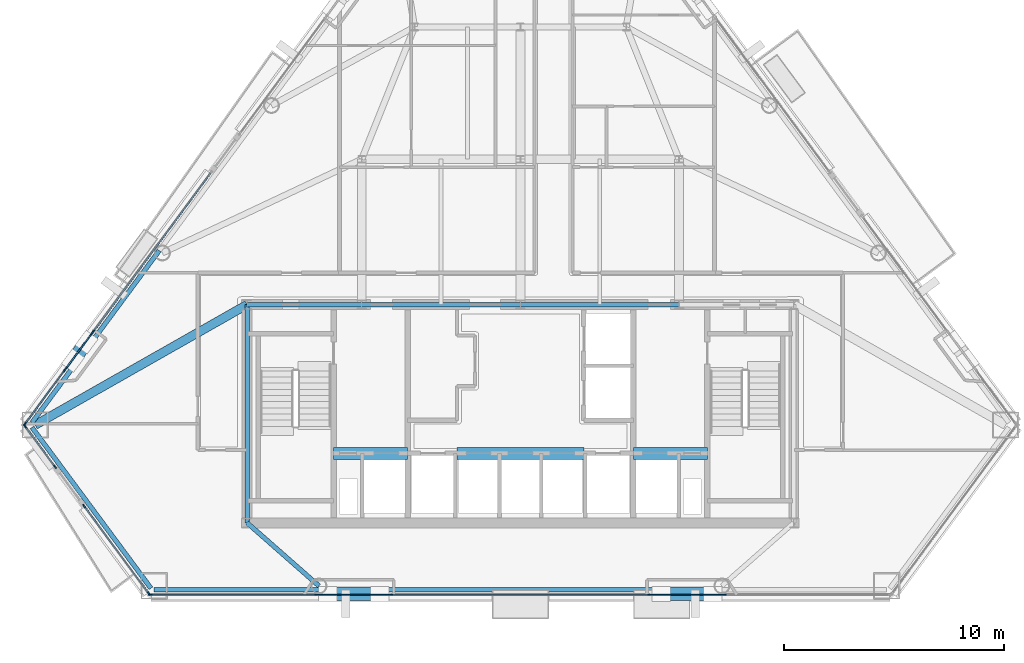
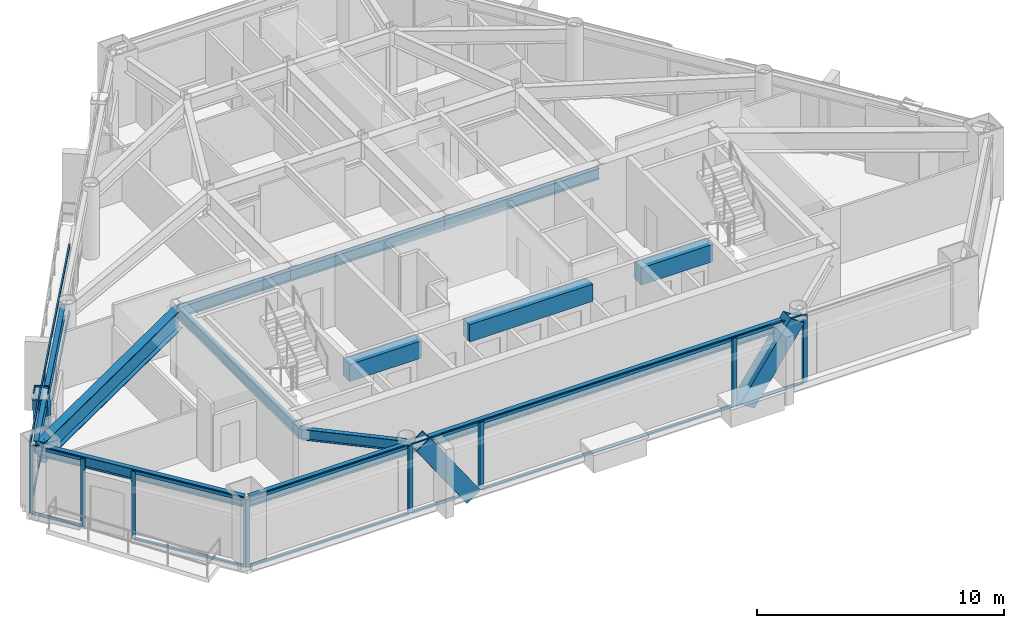
# One storey, part 3 of 11: 39 members, 13 beams, 10 elements without a shape of their own.
"""IFC4 building model written with IfcOpenShell, lengths in metres."""

from ifc_helpers import new_model, si_unit, direction, frame, origin, origin_2d, place, context, subcontext, project, spatial, rectangle, hollow_rectangle, i_section, extrude, material, layer, layer_set, material_profile, profile_set, type_object, element, aggregate, save


model = new_model("IFC4")

# Units and contexts
model_context = context("Model", 3, precision=1e-05, world=origin(), true_north=direction((0.0, 1.0)))
body_context = subcontext(model_context, "Body", "Model", "MODEL_VIEW")
ifc_project = project(units=[si_unit("LENGTHUNIT", "METRE"), si_unit("AREAUNIT", "SQUARE_METRE"), si_unit("VOLUMEUNIT", "CUBIC_METRE"), si_unit("PLANEANGLEUNIT", "RADIAN"), si_unit("MASSUNIT", "GRAM", prefix="KILO")], contexts=[model_context])

# Site, building, storey
site_placement = place(None, origin())
site = spatial("IfcSite", under=ifc_project, at=site_placement, CompositionType="ELEMENT")
building_placement = place(site_placement, origin())
building = spatial("IfcBuilding", under=site, at=building_placement, Name="Talgorran Terracotta Tower", CompositionType="ELEMENT")
storey_placement = place(building_placement, frame((0.0, 0.0, 122.10009765625)))
storey = spatial("IfcBuildingStorey", under=building, at=storey_placement, Name="L31", CompositionType="ELEMENT", Elevation=122.10009765625)

# Beams
ifc_material_1 = material(Name="Steel Grade 350 (350L0)", Category="steel")
ifc_material_profile_1 = material_profile(ifc_material_1, i_section(OverallWidth=0.39990234375, OverallDepth=1.0, WebThickness=0.01611328125, FlangeThickness=0.031005859375, at=origin_2d()), Name="1000WB296")
ifc_profile_set_1 = profile_set([ifc_material_profile_1], Name="Steel Grade 350 (350L0)")
beam_type_1 = type_object("IfcBeamType", Name="BM_1000WB296", PredefinedType="BEAM", material=ifc_profile_set_1)
beam_1_placement = place(storey_placement, frame((-12.39990234375, -4.199951171875, 2.849853515625), z_axis=(-0.869581927132, -0.493788691654, 0.0), x_axis=(0.493788691654, -0.869581927132, 0.0)))
element("IfcBeam", 1, at=beam_1_placement, inside=storey, type_object=beam_type_1, Name="L31 Floor Girder G17", PredefinedType="BEAM", context=body_context, shape_type="SweptSolid", body=[
    extrude(i_section(OverallWidth=0.39990234375, OverallDepth=1.0, WebThickness=0.01611328125, FlangeThickness=0.031005859375, at=origin_2d()), origin(), (0.0, 0.0, 1.0), 11.061279296875),
])
ifc_material_2 = material(Name="Concrete C50/60", Category="concrete")
ifc_material_profile_2 = material_profile(ifc_material_2, rectangle(XDim=0.550048828125, YDim=0.85009765625, at=origin_2d()), Name="RCCB550X850")
ifc_profile_set_2 = profile_set([ifc_material_profile_2], Name="Concrete C50/60")
beam_type_2 = type_object("IfcBeamType", Name="BM_CB_550X850", PredefinedType="LINTEL", material=ifc_profile_set_2)
beam_2_placement = place(storey_placement, frame((-8.47998046875, -10.949951171875, 2.9248046875), z_axis=(1.0, 0.0, 0.0), x_axis=(0.0, 1.0, 0.0)))
element("IfcBeam", 2, at=beam_2_placement, inside=storey, type_object=beam_type_2, Name="L31 Core Shear-Wall Coupling Beam CB1", PredefinedType="LINTEL", context=body_context, shape_type="SweptSolid", body=[
    extrude(rectangle(XDim=0.550048828125, YDim=0.85009765625, at=origin_2d()), origin(), (0.0, 0.0, 1.0), 3.35986328125),
])
beam_3_placement = place(storey_placement, frame((-2.8798828125, -10.949951171875, 2.9248046875), z_axis=(1.0, 0.0, 0.0), x_axis=(0.0, 1.0, 0.0)))
element("IfcBeam", 3, at=beam_3_placement, inside=storey, type_object=beam_type_2, Name="L31 Core Shear-Wall Coupling Beam CB2", PredefinedType="LINTEL", context=body_context, shape_type="SweptSolid", body=[
    extrude(rectangle(XDim=0.550048828125, YDim=0.85009765625, at=origin_2d()), origin(), (0.0, 0.0, 1.0), 5.759765625),
])
beam_4_placement = place(storey_placement, frame((5.1201171875, -10.949951171875, 2.9248046875), z_axis=(1.0, 0.0, 0.0), x_axis=(0.0, 1.0, 0.0)))
element("IfcBeam", 4, at=beam_4_placement, inside=storey, type_object=beam_type_2, Name="L31 Core Shear-Wall Coupling Beam CB3", PredefinedType="LINTEL", context=body_context, shape_type="SweptSolid", body=[
    extrude(rectangle(XDim=0.550048828125, YDim=0.85009765625, at=origin_2d()), origin(), (0.0, 0.0, 1.0), 3.35986328125),
])
ifc_material_3 = material(Name="Steel S355 (300PLUS)", Category="steel")
ifc_material_profile_3 = material_profile(ifc_material_3, i_section(OverallWidth=0.209228515625, OverallDepth=0.532958984375, WebThickness=0.01025390625, FlangeThickness=0.015625, at=origin_2d()), Name="530UB92.4")
ifc_profile_set_3 = profile_set([ifc_material_profile_3], Name="Steel S355 (300PLUS)")
beam_type_3 = type_object("IfcBeamType", Name="BM_SP_530UB92", PredefinedType="SPANDREL", material=ifc_profile_set_3)
beam_5_placement = place(storey_placement, frame((-22.1630859375, -9.768798828125, 3.08349609375), z_axis=(0.594631406603, -0.803998439228, 0.0), x_axis=(0.803998439228, 0.594631406603, 0.0)))
element("IfcBeam", 5, at=beam_5_placement, inside=storey, type_object=beam_type_3, Name="L31 Perimeter Spandrel Beam MC1-MC2", PredefinedType="SPANDREL", context=body_context, shape_type="SweptSolid", body=[
    extrude(i_section(OverallWidth=0.209228515625, OverallDepth=0.532958984375, WebThickness=0.01025390625, FlangeThickness=0.015625, at=origin_2d()), origin(), (0.0, 0.0, 1.0), 9.08154296875),
])
beam_6_placement = place(storey_placement, frame((-16.618408203125, -17.143310546875, 3.08349609375), z_axis=(1.0, 0.0, 0.0), x_axis=(0.0, 1.0, 0.0)))
element("IfcBeam", 6, at=beam_6_placement, inside=storey, type_object=beam_type_3, Name="L31 Perimeter Spandrel Beam MC2-FC1", PredefinedType="SPANDREL", context=body_context, shape_type="SweptSolid", body=[
    extrude(i_section(OverallWidth=0.209228515625, OverallDepth=0.532958984375, WebThickness=0.01025390625, FlangeThickness=0.015625, at=origin_2d()), origin(), (0.0, 0.0, 1.0), 7.478271484375),
])
beam_7_placement = place(storey_placement, frame((-9.14013671875, -17.143310546875, 3.08349609375), z_axis=(1.0, 0.0, 0.0), x_axis=(0.0, 1.0, 0.0)))
element("IfcBeam", 7, at=beam_7_placement, inside=storey, type_object=beam_type_3, Name="L31 Perimeter Spandrel Beam FC1-FC2", PredefinedType="SPANDREL", context=body_context, shape_type="SweptSolid", body=[
    extrude(i_section(OverallWidth=0.209228515625, OverallDepth=0.532958984375, WebThickness=0.01025390625, FlangeThickness=0.015625, at=origin_2d()), origin(), (0.0, 0.0, 1.0), 18.2802734375),
])
beam_8_placement = place(storey_placement, frame((-16.3896484375, -1.74853515625, 3.08349609375), z_axis=(-0.594623640759, -0.804004182732, 0.0), x_axis=(0.804004182732, -0.594623640759, 0.0)))
element("IfcBeam", 8, at=beam_8_placement, inside=storey, type_object=beam_type_3, Name="L31 Perimeter Spandrel Beam FC6-MC1", PredefinedType="SPANDREL", context=body_context, shape_type="SweptSolid", body=[
    extrude(i_section(OverallWidth=0.209228515625, OverallDepth=0.532958984375, WebThickness=0.01025390625, FlangeThickness=0.015625, at=origin_2d()), origin(), (0.0, 0.0, 1.0), 9.70947265625),
])
beam_9_placement = place(storey_placement, frame((-9.14013671875, -16.96337890625, 3.08349609375), z_axis=(-0.751320451725, 0.659937556758, 0.0), x_axis=(-0.659937556758, -0.751320451725, 0.0)))
element("IfcBeam", 9, at=beam_9_placement, inside=storey, type_object=beam_type_3, Name="L31 South-West Core Tie Beam", PredefinedType="SPANDREL", context=body_context, shape_type="SweptSolid", body=[
    extrude(i_section(OverallWidth=0.209228515625, OverallDepth=0.532958984375, WebThickness=0.01025390625, FlangeThickness=0.015625, at=origin_2d()), origin(), (0.0, 0.0, 1.0), 4.338623046875),
])
beam_10_placement = place(storey_placement, frame((-12.39990234375, -14.10009765625, 3.08349609375), z_axis=(0.0, 1.0, 0.0), x_axis=(-1.0, 0.0, 0.0)))
element("IfcBeam", 10, at=beam_10_placement, inside=storey, type_object=beam_type_3, Name="L31 Core Frame Beam CFW", PredefinedType="SPANDREL", context=body_context, shape_type="SweptSolid", body=[
    extrude(i_section(OverallWidth=0.209228515625, OverallDepth=0.532958984375, WebThickness=0.01025390625, FlangeThickness=0.015625, at=origin_2d()), origin(), (0.0, 0.0, 1.0), 9.900146484375),
])
beam_11_placement = place(storey_placement, frame((-12.39990234375, -4.199951171875, 3.08349609375), z_axis=(1.0, 0.0, 0.0), x_axis=(0.0, 1.0, 0.0)))
element("IfcBeam", 11, at=beam_11_placement, inside=storey, type_object=beam_type_3, Name="L31 Core Frame Beam CFN1", PredefinedType="SPANDREL", context=body_context, shape_type="SweptSolid", body=[
    extrude(i_section(OverallWidth=0.209228515625, OverallDepth=0.532958984375, WebThickness=0.01025390625, FlangeThickness=0.015625, at=origin_2d()), origin(), (0.0, 0.0, 1.0), 5.199951171875),
])
for number, where, z_axis, x_axis, name in (
    (12, (-7.199951171875, -4.199951171875, 3.08349609375), (1.0, 0.0, 0.0), (0.0, 1.0, 0.0), "L31 Core Frame Beam CFN2"),
    (13, (0.0, -4.199951171875, 3.08349609375), (1.0, 0.0, 0.0), (0.0, 1.0, 0.0), "L31 Core Frame Beam CFN3"),
):
    element("IfcBeam", number, at=place(storey_placement, frame(where, z_axis=z_axis, x_axis=x_axis)), inside=storey, type_object=beam_type_3, Name=name, PredefinedType="SPANDREL", context=body_context, shape_type="SweptSolid", body=[
        extrude(i_section(OverallWidth=0.209228515625, OverallDepth=0.532958984375, WebThickness=0.01025390625, FlangeThickness=0.015625, at=origin_2d()), origin(), (0.0, 0.0, 1.0), 7.199951171875),
    ])

# Members
ifc_material_profile_4 = material_profile(ifc_material_1, hollow_rectangle(XDim=0.6201171875, YDim=0.780029296875, WallThickness=0.0419921875, at=origin_2d()), Name="WBOX780X620X42")
ifc_profile_set_4 = profile_set([ifc_material_profile_4], Name="Steel Grade 350 (350L0)")
member_type_1 = type_object("IfcMemberType", Name="MB_MEGA_780", PredefinedType="BRACE", material=ifc_profile_set_4)
for number, where, z_axis, x_axis, name in (
    (14, (-6.3837890625, -17.3232421875, -0.025146484375), (-0.568899801138, 0.0, 0.822406843518), (0.0, -1.0, 0.0), "L31 Exterior Face Mega-Brace MB-2 (SWF)"),
    (15, (6.3837890625, -17.3232421875, -0.025146484375), (0.568899801138, 0.0, 0.822406843518), (0.0, 1.0, 0.0), "L31 Exterior Face Mega-Brace MB-2 (SEF)"),
):
    element("IfcMember", number, at=place(storey_placement, frame(where, z_axis=z_axis, x_axis=x_axis)), inside=storey, type_object=member_type_1, Name=name, PredefinedType="BRACE", context=body_context, shape_type="SweptSolid", body=[
        extrude(hollow_rectangle(XDim=0.6201171875, YDim=0.780029296875, WallThickness=0.0419921875, at=origin_2d()), origin(), (0.0, 0.0, 1.0), 4.13427734375),
    ])
member_1_placement = place(storey_placement, frame((-19.683837890625, -5.899658203125, -0.025146484375), z_axis=(-0.174360694354, -0.235798813034, 0.956032043415), x_axis=(0.804054507608, -0.594555589323, 0.0)))
element("IfcMember", 16, at=member_1_placement, inside=storey, type_object=member_type_1, Name="L31 Exterior Face Mega-Brace MB-2 (NWL)", PredefinedType="BRACE", context=body_context, shape_type="SweptSolid", body=[
    extrude(hollow_rectangle(XDim=0.6201171875, YDim=0.780029296875, WallThickness=0.0419921875, at=origin_2d()), origin(), (0.0, 0.0, 1.0), 3.556640625),
])

# Curtain wall, members
ifc_material_4 = material(Name="Unitised Low-E Double Glazing", Category="glass")
ifc_layer = layer(ifc_material_4, 0.199951171875, Name="CW_SYS2_RES_LOW")
ifc_layer_set = layer_set([ifc_layer], Name="Unitised Low-E Double Glazing")
curtain_wall_type = type_object("IfcCurtainWallType", Name="CW_SYS2_RES_LOW", PredefinedType="NOTDEFINED", material=ifc_layer_set)
curtain_wall_1_placement = place(storey_placement, origin())
curtain_wall_1 = element("IfcCurtainWall", 17, at=curtain_wall_1_placement, inside=storey, type_object=curtain_wall_type, Name="CW-L31-F10", PredefinedType="NOTDEFINED")
ifc_material_5 = material(Name="Architectural Aluminium 6063-T6", Category="aluminium")
ifc_material_profile_5 = material_profile(ifc_material_5, rectangle(XDim=0.06494140625, YDim=0.18505859375, at=origin_2d()), Name="CWM65X185")
ifc_profile_set_5 = profile_set([ifc_material_profile_5], Name="Architectural Aluminium 6063-T6")
member_type_2 = type_object("IfcMemberType", Name="MUL_65X185", PredefinedType="MULLION", material=ifc_profile_set_5)
member_2_placement = place(storey_placement, frame((-22.472900390625, -9.72021484375, 0.0), z_axis=(0.0, 0.0, 1.0), x_axis=(0.803984869726, 0.594649753428, 0.0)))
member_2 = element("IfcMember", 18, at=member_2_placement, type_object=member_type_2, Name="CW-L31-10 mullion 1", PredefinedType="MULLION", context=body_context, shape_type="SweptSolid", body=[
    extrude(rectangle(XDim=0.06494140625, YDim=0.18505859375, at=origin_2d()), origin(), (0.0, 0.0, 1.0), 3.349853515625),
])
member_3_placement = place(storey_placement, frame((-21.11572265625, -11.55517578125, 0.0), z_axis=(0.0, 0.0, 1.0), x_axis=(0.803984869726, 0.594649753428, 0.0)))
member_3 = element("IfcMember", 19, at=member_3_placement, type_object=member_type_2, Name="CW-L31-10 mullion 2", PredefinedType="MULLION", context=body_context, shape_type="SweptSolid", body=[
    extrude(rectangle(XDim=0.06494140625, YDim=0.18505859375, at=origin_2d()), origin(), (0.0, 0.0, 1.0), 3.349853515625),
])

curtain_wall_2_placement = place(storey_placement, origin())
curtain_wall_2 = element("IfcCurtainWall", 20, at=curtain_wall_2_placement, inside=storey, type_object=curtain_wall_type, Name="CW-L31-F11", PredefinedType="NOTDEFINED")
member_4_placement = place(storey_placement, frame((-19.79248046875, -13.34423828125, 0.0), z_axis=(0.0, 0.0, 1.0), x_axis=(0.803987486972, 0.594646214814, 0.0)))
member_4 = element("IfcMember", 21, at=member_4_placement, type_object=member_type_2, Name="CW-L31-11 mullion 1", PredefinedType="MULLION", context=body_context, shape_type="SweptSolid", body=[
    extrude(rectangle(XDim=0.06494140625, YDim=0.18505859375, at=origin_2d()), origin(), (0.0, 0.0, 1.0), 3.349853515625),
])
member_5_placement = place(storey_placement, frame((-16.863037109375, -17.304931640625, 0.0), z_axis=(0.0, 0.0, 1.0), x_axis=(0.803987486972, 0.594646214814, 0.0)))
member_5 = element("IfcMember", 22, at=member_5_placement, type_object=member_type_2, Name="CW-L31-11 mullion 2", PredefinedType="MULLION", context=body_context, shape_type="SweptSolid", body=[
    extrude(rectangle(XDim=0.06494140625, YDim=0.18505859375, at=origin_2d()), origin(), (0.0, 0.0, 1.0), 3.349853515625),
])

curtain_wall_3_placement = place(storey_placement, origin())
curtain_wall_3 = element("IfcCurtainWall", 23, at=curtain_wall_3_placement, inside=storey, type_object=curtain_wall_type, Name="CW-L31-F1", PredefinedType="NOTDEFINED")
member_6_placement = place(storey_placement, frame((-16.78759765625, -17.36328125, 0.0), z_axis=(0.0, 0.0, 1.0), x_axis=(0.0, 1.0, 0.0)))
member_6 = element("IfcMember", 24, at=member_6_placement, type_object=member_type_2, Name="CW-L31-1 mullion 1", PredefinedType="MULLION", context=body_context, shape_type="SweptSolid", body=[
    extrude(rectangle(XDim=0.06494140625, YDim=0.18505859375, at=origin_2d()), origin(), (0.0, 0.0, 1.0), 3.349853515625),
])
member_7_placement = place(storey_placement, frame((-9.244140625, -17.36328125, 0.0), z_axis=(0.0, 0.0, 1.0), x_axis=(0.0, 1.0, 0.0)))
member_7 = element("IfcMember", 25, at=member_7_placement, type_object=member_type_2, Name="CW-L31-1 mullion 2", PredefinedType="MULLION", context=body_context, shape_type="SweptSolid", body=[
    extrude(rectangle(XDim=0.06494140625, YDim=0.18505859375, at=origin_2d()), origin(), (0.0, 0.0, 1.0), 3.349853515625),
])

curtain_wall_4_placement = place(storey_placement, origin())
curtain_wall_4 = element("IfcCurtainWall", 26, at=curtain_wall_4_placement, inside=storey, type_object=curtain_wall_type, Name="CW-L31-F1B", PredefinedType="NOTDEFINED")
member_8_placement = place(storey_placement, frame((-9.169189453125, -17.36328125, 0.0), z_axis=(0.0, 0.0, 1.0), x_axis=(0.0, 1.0, 0.0)))
member_8 = element("IfcMember", 27, at=member_8_placement, type_object=member_type_2, Name="CW-L31-1B mullion 1", PredefinedType="MULLION", context=body_context, shape_type="SweptSolid", body=[
    extrude(rectangle(XDim=0.06494140625, YDim=0.18505859375, at=origin_2d()), origin(), (0.0, 0.0, 1.0), 3.349853515625),
])
member_9_placement = place(storey_placement, frame((-5.95068359375, -17.36328125, 0.0), z_axis=(0.0, 0.0, 1.0), x_axis=(0.0, 1.0, 0.0)))
member_9 = element("IfcMember", 28, at=member_9_placement, type_object=member_type_2, Name="CW-L31-1B mullion 2", PredefinedType="MULLION", context=body_context, shape_type="SweptSolid", body=[
    extrude(rectangle(XDim=0.06494140625, YDim=0.18505859375, at=origin_2d()), origin(), (0.0, 0.0, 1.0), 3.349853515625),
])

curtain_wall_5_placement = place(storey_placement, origin())
curtain_wall_5 = element("IfcCurtainWall", 29, at=curtain_wall_5_placement, inside=storey, type_object=curtain_wall_type, Name="CW-L31-F1C", PredefinedType="NOTDEFINED")
member_10_placement = place(storey_placement, frame((-5.875732421875, -17.36328125, 0.0), z_axis=(0.0, 0.0, 1.0), x_axis=(0.0, 1.0, 0.0)))
member_10 = element("IfcMember", 30, at=member_10_placement, type_object=member_type_2, Name="CW-L31-1C mullion 1", PredefinedType="MULLION", context=body_context, shape_type="SweptSolid", body=[
    extrude(rectangle(XDim=0.06494140625, YDim=0.18505859375, at=origin_2d()), origin(), (0.0, 0.0, 1.0), 3.349853515625),
])
member_11_placement = place(storey_placement, frame((5.875732421875, -17.36328125, 0.0), z_axis=(0.0, 0.0, 1.0), x_axis=(0.0, 1.0, 0.0)))
member_11 = element("IfcMember", 31, at=member_11_placement, type_object=member_type_2, Name="CW-L31-1C mullion 2", PredefinedType="MULLION", context=body_context, shape_type="SweptSolid", body=[
    extrude(rectangle(XDim=0.06494140625, YDim=0.18505859375, at=origin_2d()), origin(), (0.0, 0.0, 1.0), 3.349853515625),
])

curtain_wall_6_placement = place(storey_placement, origin())
curtain_wall_6 = element("IfcCurtainWall", 32, at=curtain_wall_6_placement, inside=storey, type_object=curtain_wall_type, Name="CW-L31-F1D", PredefinedType="NOTDEFINED")
member_12_placement = place(storey_placement, frame((5.95068359375, -17.36328125, 0.0), z_axis=(0.0, 0.0, 1.0), x_axis=(0.0, 1.0, 0.0)))
member_12 = element("IfcMember", 33, at=member_12_placement, type_object=member_type_2, Name="CW-L31-1D mullion 1", PredefinedType="MULLION", context=body_context, shape_type="SweptSolid", body=[
    extrude(rectangle(XDim=0.06494140625, YDim=0.18505859375, at=origin_2d()), origin(), (0.0, 0.0, 1.0), 3.349853515625),
])
member_13_placement = place(storey_placement, frame((9.169189453125, -17.36328125, 0.0), z_axis=(0.0, 0.0, 1.0), x_axis=(0.0, 1.0, 0.0)))
member_13 = element("IfcMember", 34, at=member_13_placement, type_object=member_type_2, Name="CW-L31-1D mullion 2", PredefinedType="MULLION", context=body_context, shape_type="SweptSolid", body=[
    extrude(rectangle(XDim=0.06494140625, YDim=0.18505859375, at=origin_2d()), origin(), (0.0, 0.0, 1.0), 3.349853515625),
])

# Curtain wall, member
curtain_wall_7_placement = place(storey_placement, origin())
curtain_wall_7 = element("IfcCurtainWall", 35, at=curtain_wall_7_placement, inside=storey, type_object=curtain_wall_type, Name="CW-L31-F1E", PredefinedType="NOTDEFINED")
member_14_placement = place(storey_placement, frame((9.244140625, -17.36328125, 0.0), z_axis=(0.0, 0.0, 1.0), x_axis=(0.0, 1.0, 0.0)))
member_14 = element("IfcMember", 36, at=member_14_placement, type_object=member_type_2, Name="CW-L31-1E mullion 1", PredefinedType="MULLION", context=body_context, shape_type="SweptSolid", body=[
    extrude(rectangle(XDim=0.06494140625, YDim=0.18505859375, at=origin_2d()), origin(), (0.0, 0.0, 1.0), 3.349853515625),
])
aggregate(curtain_wall_7, [member_14])

curtain_wall_8_placement = place(storey_placement, origin())
curtain_wall_8 = element("IfcCurtainWall", 37, at=curtain_wall_8_placement, inside=storey, type_object=curtain_wall_type, Name="CW-L31-F61", PredefinedType="NOTDEFINED")
member_15_placement = place(storey_placement, frame((-19.382568359375, -5.425537109375, 0.0), z_axis=(0.0, 0.0, 1.0), x_axis=(0.803997148337, -0.594633152007, 0.0)))
member_15 = element("IfcMember", 38, at=member_15_placement, type_object=member_type_2, Name="CW-L31-61 mullion 2", PredefinedType="MULLION", context=body_context, shape_type="SweptSolid", body=[
    extrude(rectangle(XDim=0.06494140625, YDim=0.18505859375, at=origin_2d()), origin(), (0.0, 0.0, 1.0), 3.349853515625),
])

# Curtain wall, members
curtain_wall_9_placement = place(storey_placement, origin())
curtain_wall_9 = element("IfcCurtainWall", 39, at=curtain_wall_9_placement, inside=storey, type_object=curtain_wall_type, Name="CW-L31-F61B", PredefinedType="NOTDEFINED")
member_16_placement = place(storey_placement, frame((-19.42724609375, -5.48583984375, 0.0), z_axis=(0.0, 0.0, 1.0), x_axis=(0.803994148166, -0.594637208485, 0.0)))
member_16 = element("IfcMember", 40, at=member_16_placement, type_object=member_type_2, Name="CW-L31-61B mullion 1", PredefinedType="MULLION", context=body_context, shape_type="SweptSolid", body=[
    extrude(rectangle(XDim=0.06494140625, YDim=0.18505859375, at=origin_2d()), origin(), (0.0, 0.0, 1.0), 3.349853515625),
])
member_17_placement = place(storey_placement, frame((-20.624755859375, -7.104736328125, 0.0), z_axis=(0.0, 0.0, 1.0), x_axis=(0.803994148166, -0.594637208485, 0.0)))
member_17 = element("IfcMember", 41, at=member_17_placement, type_object=member_type_2, Name="CW-L31-61B mullion 2", PredefinedType="MULLION", context=body_context, shape_type="SweptSolid", body=[
    extrude(rectangle(XDim=0.06494140625, YDim=0.18505859375, at=origin_2d()), origin(), (0.0, 0.0, 1.0), 3.349853515625),
])

curtain_wall_10_placement = place(storey_placement, origin())
curtain_wall_10 = element("IfcCurtainWall", 42, at=curtain_wall_10_placement, inside=storey, type_object=curtain_wall_type, Name="CW-L31-F61C", PredefinedType="NOTDEFINED")
member_18_placement = place(storey_placement, frame((-20.66943359375, -7.1650390625, 0.0), z_axis=(0.0, 0.0, 1.0), x_axis=(0.803994981019, -0.594636082403, 0.0)))
member_18 = element("IfcMember", 43, at=member_18_placement, type_object=member_type_2, Name="CW-L31-61C mullion 1", PredefinedType="MULLION", context=body_context, shape_type="SweptSolid", body=[
    extrude(rectangle(XDim=0.06494140625, YDim=0.18505859375, at=origin_2d()), origin(), (0.0, 0.0, 1.0), 3.349853515625),
])
member_19_placement = place(storey_placement, frame((-22.472900390625, -9.603515625, 0.0), z_axis=(0.0, 0.0, 1.0), x_axis=(0.803994981019, -0.594636082403, 0.0)))
member_19 = element("IfcMember", 44, at=member_19_placement, type_object=member_type_2, Name="CW-L31-61C mullion 2", PredefinedType="MULLION", context=body_context, shape_type="SweptSolid", body=[
    extrude(rectangle(XDim=0.06494140625, YDim=0.18505859375, at=origin_2d()), origin(), (0.0, 0.0, 1.0), 3.349853515625),
])

# Member
ifc_material_profile_6 = material_profile(ifc_material_5, rectangle(XDim=0.06494140625, YDim=0.14990234375, at=origin_2d()), Name="CWT65X150")
ifc_profile_set_6 = profile_set([ifc_material_profile_6], Name="Architectural Aluminium 6063-T6")
member_type_3 = type_object("IfcMemberType", Name="TRN_65X150", PredefinedType="USERDEFINED", material=ifc_profile_set_6)
member_20_placement = place(storey_placement, frame((-22.45361328125, -9.746337890625, 0.032470703125), z_axis=(0.594666553013, -0.80397244401, 0.0), x_axis=(0.80397244401, 0.594666553013, 0.0)))
member_20 = element("IfcMember", 45, at=member_20_placement, type_object=member_type_3, Name="CW-L31-10 transom 1.1", ObjectType="TRANSOM", PredefinedType="USERDEFINED", context=body_context, shape_type="SweptSolid", body=[
    extrude(rectangle(XDim=0.06494140625, YDim=0.14990234375, at=origin_2d()), origin(), (0.0, 0.0, 1.0), 2.21728515625),
])

member_21_placement = place(storey_placement, frame((-22.45361328125, -9.746337890625, 3.3173828125), z_axis=(0.594666553013, -0.80397244401, 0.0), x_axis=(0.80397244401, 0.594666553013, 0.0)))
member_21 = element("IfcMember", 46, at=member_21_placement, type_object=member_type_3, Name="CW-L31-10 transom 1.2", ObjectType="TRANSOM", PredefinedType="USERDEFINED", context=body_context, shape_type="SweptSolid", body=[
    extrude(rectangle(XDim=0.06494140625, YDim=0.14990234375, at=origin_2d()), origin(), (0.0, 0.0, 1.0), 2.21728515625),
])

aggregate(curtain_wall_1, [member_2, member_3, member_20, member_21])

member_22_placement = place(storey_placement, frame((-19.773193359375, -13.370361328125, 0.032470703125), z_axis=(0.594626857257, -0.804001803871, 0.0), x_axis=(0.804001803871, 0.594626857257, 0.0)))
member_22 = element("IfcMember", 47, at=member_22_placement, type_object=member_type_3, Name="CW-L31-11 transom 1.1", ObjectType="TRANSOM", PredefinedType="USERDEFINED", context=body_context, shape_type="SweptSolid", body=[
    extrude(rectangle(XDim=0.06494140625, YDim=0.14990234375, at=origin_2d()), origin(), (0.0, 0.0, 1.0), 4.861328125),
])

member_23_placement = place(storey_placement, frame((-19.773193359375, -13.370361328125, 3.3173828125), z_axis=(0.594626857257, -0.804001803871, 0.0), x_axis=(0.804001803871, 0.594626857257, 0.0)))
member_23 = element("IfcMember", 48, at=member_23_placement, type_object=member_type_3, Name="CW-L31-11 transom 1.2", ObjectType="TRANSOM", PredefinedType="USERDEFINED", context=body_context, shape_type="SweptSolid", body=[
    extrude(rectangle(XDim=0.06494140625, YDim=0.14990234375, at=origin_2d()), origin(), (0.0, 0.0, 1.0), 4.861328125),
])

aggregate(curtain_wall_2, [member_4, member_5, member_22, member_23])

member_24_placement = place(storey_placement, frame((-16.7548828125, -17.36328125, 0.032470703125), z_axis=(1.0, 0.0, 0.0), x_axis=(0.0, 1.0, 0.0)))
member_24 = element("IfcMember", 49, at=member_24_placement, type_object=member_type_3, Name="CW-L31-1 transom 1.1", ObjectType="TRANSOM", PredefinedType="USERDEFINED", context=body_context, shape_type="SweptSolid", body=[
    extrude(rectangle(XDim=0.06494140625, YDim=0.14990234375, at=origin_2d()), origin(), (0.0, 0.0, 1.0), 7.478271484375),
])

member_25_placement = place(storey_placement, frame((-16.7548828125, -17.36328125, 3.3173828125), z_axis=(1.0, 0.0, 0.0), x_axis=(0.0, 1.0, 0.0)))
member_25 = element("IfcMember", 50, at=member_25_placement, type_object=member_type_3, Name="CW-L31-1 transom 1.2", ObjectType="TRANSOM", PredefinedType="USERDEFINED", context=body_context, shape_type="SweptSolid", body=[
    extrude(rectangle(XDim=0.06494140625, YDim=0.14990234375, at=origin_2d()), origin(), (0.0, 0.0, 1.0), 7.478271484375),
])

aggregate(curtain_wall_3, [member_6, member_7, member_24, member_25])

member_26_placement = place(storey_placement, frame((-9.13671875, -17.36328125, 0.032470703125), z_axis=(1.0, 0.0, 0.0), x_axis=(0.0, 1.0, 0.0)))
member_26 = element("IfcMember", 51, at=member_26_placement, type_object=member_type_3, Name="CW-L31-1B transom 1.1", ObjectType="TRANSOM", PredefinedType="USERDEFINED", context=body_context, shape_type="SweptSolid", body=[
    extrude(rectangle(XDim=0.06494140625, YDim=0.14990234375, at=origin_2d()), origin(), (0.0, 0.0, 1.0), 3.153564453125),
])

member_27_placement = place(storey_placement, frame((-9.13671875, -17.36328125, 3.3173828125), z_axis=(1.0, 0.0, 0.0), x_axis=(0.0, 1.0, 0.0)))
member_27 = element("IfcMember", 52, at=member_27_placement, type_object=member_type_3, Name="CW-L31-1B transom 1.2", ObjectType="TRANSOM", PredefinedType="USERDEFINED", context=body_context, shape_type="SweptSolid", body=[
    extrude(rectangle(XDim=0.06494140625, YDim=0.14990234375, at=origin_2d()), origin(), (0.0, 0.0, 1.0), 3.153564453125),
])

aggregate(curtain_wall_4, [member_8, member_9, member_26, member_27])

member_28_placement = place(storey_placement, frame((-5.84326171875, -17.36328125, 0.032470703125), z_axis=(1.0, 0.0, 0.0), x_axis=(0.0, 1.0, 0.0)))
member_28 = element("IfcMember", 53, at=member_28_placement, type_object=member_type_3, Name="CW-L31-1C transom 1.1", ObjectType="TRANSOM", PredefinedType="USERDEFINED", context=body_context, shape_type="SweptSolid", body=[
    extrude(rectangle(XDim=0.06494140625, YDim=0.14990234375, at=origin_2d()), origin(), (0.0, 0.0, 1.0), 11.6865234375),
])

member_29_placement = place(storey_placement, frame((-5.84326171875, -17.36328125, 3.3173828125), z_axis=(1.0, 0.0, 0.0), x_axis=(0.0, 1.0, 0.0)))
member_29 = element("IfcMember", 54, at=member_29_placement, type_object=member_type_3, Name="CW-L31-1C transom 1.2", ObjectType="TRANSOM", PredefinedType="USERDEFINED", context=body_context, shape_type="SweptSolid", body=[
    extrude(rectangle(XDim=0.06494140625, YDim=0.14990234375, at=origin_2d()), origin(), (0.0, 0.0, 1.0), 11.6865234375),
])

aggregate(curtain_wall_5, [member_10, member_11, member_28, member_29])

member_30_placement = place(storey_placement, frame((5.983154296875, -17.36328125, 0.032470703125), z_axis=(1.0, 0.0, 0.0), x_axis=(0.0, 1.0, 0.0)))
member_30 = element("IfcMember", 55, at=member_30_placement, type_object=member_type_3, Name="CW-L31-1D transom 1.1", ObjectType="TRANSOM", PredefinedType="USERDEFINED", context=body_context, shape_type="SweptSolid", body=[
    extrude(rectangle(XDim=0.06494140625, YDim=0.14990234375, at=origin_2d()), origin(), (0.0, 0.0, 1.0), 3.153564453125),
])

member_31_placement = place(storey_placement, frame((5.983154296875, -17.36328125, 3.3173828125), z_axis=(1.0, 0.0, 0.0), x_axis=(0.0, 1.0, 0.0)))
member_31 = element("IfcMember", 56, at=member_31_placement, type_object=member_type_3, Name="CW-L31-1D transom 1.2", ObjectType="TRANSOM", PredefinedType="USERDEFINED", context=body_context, shape_type="SweptSolid", body=[
    extrude(rectangle(XDim=0.06494140625, YDim=0.14990234375, at=origin_2d()), origin(), (0.0, 0.0, 1.0), 3.153564453125),
])

aggregate(curtain_wall_6, [member_12, member_13, member_30, member_31])

member_32_placement = place(storey_placement, frame((-14.068115234375, 1.76025390625, 0.032470703125), z_axis=(-0.594626149873, -0.804002327041, 0.0), x_axis=(0.804002327041, -0.594626149873, 0.0)))
member_32 = element("IfcMember", 57, at=member_32_placement, type_object=member_type_3, Name="CW-L31-61 transom 1.1", ObjectType="TRANSOM", PredefinedType="USERDEFINED", context=body_context, shape_type="SweptSolid", body=[
    extrude(rectangle(XDim=0.06494140625, YDim=0.14990234375, at=origin_2d()), origin(), (0.0, 0.0, 1.0), 8.905029296875),
])

member_33_placement = place(storey_placement, frame((-14.068115234375, 1.76025390625, 3.3173828125), z_axis=(-0.594626149873, -0.804002327041, 0.0), x_axis=(0.804002327041, -0.594626149873, 0.0)))
member_33 = element("IfcMember", 58, at=member_33_placement, type_object=member_type_3, Name="CW-L31-61 transom 1.2", ObjectType="TRANSOM", PredefinedType="USERDEFINED", context=body_context, shape_type="SweptSolid", body=[
    extrude(rectangle(XDim=0.06494140625, YDim=0.14990234375, at=origin_2d()), origin(), (0.0, 0.0, 1.0), 8.905029296875),
])

aggregate(curtain_wall_8, [member_15, member_32, member_33])

member_34_placement = place(storey_placement, frame((-19.446533203125, -5.511962890625, 0.032470703125), z_axis=(-0.594715092712, -0.803936538852, 0.0), x_axis=(0.803936538852, -0.594715092712, 0.0)))
member_34 = element("IfcMember", 59, at=member_34_placement, type_object=member_type_3, Name="CW-L31-61B transom 1.1", ObjectType="TRANSOM", PredefinedType="USERDEFINED", context=body_context, shape_type="SweptSolid", body=[
    extrude(rectangle(XDim=0.06494140625, YDim=0.14990234375, at=origin_2d()), origin(), (0.0, 0.0, 1.0), 1.94873046875),
])

member_35_placement = place(storey_placement, frame((-19.446533203125, -5.511962890625, 3.3173828125), z_axis=(-0.594715092712, -0.803936538852, 0.0), x_axis=(0.803936538852, -0.594715092712, 0.0)))
member_35 = element("IfcMember", 60, at=member_35_placement, type_object=member_type_3, Name="CW-L31-61B transom 1.2", ObjectType="TRANSOM", PredefinedType="USERDEFINED", context=body_context, shape_type="SweptSolid", body=[
    extrude(rectangle(XDim=0.06494140625, YDim=0.14990234375, at=origin_2d()), origin(), (0.0, 0.0, 1.0), 1.94873046875),
])

aggregate(curtain_wall_9, [member_16, member_17, member_34, member_35])

member_36_placement = place(storey_placement, frame((-20.688720703125, -7.191162109375, 0.032470703125), z_axis=(-0.594643135574, -0.803989764434, 0.0), x_axis=(0.803989764434, -0.594643135574, 0.0)))
member_36 = element("IfcMember", 61, at=member_36_placement, type_object=member_type_3, Name="CW-L31-61C transom 1.1", ObjectType="TRANSOM", PredefinedType="USERDEFINED", context=body_context, shape_type="SweptSolid", body=[
    extrude(rectangle(XDim=0.06494140625, YDim=0.14990234375, at=origin_2d()), origin(), (0.0, 0.0, 1.0), 2.968017578125),
])

member_37_placement = place(storey_placement, frame((-20.688720703125, -7.191162109375, 3.3173828125), z_axis=(-0.594643135574, -0.803989764434, 0.0), x_axis=(0.803989764434, -0.594643135574, 0.0)))
member_37 = element("IfcMember", 62, at=member_37_placement, type_object=member_type_3, Name="CW-L31-61C transom 1.2", ObjectType="TRANSOM", PredefinedType="USERDEFINED", context=body_context, shape_type="SweptSolid", body=[
    extrude(rectangle(XDim=0.06494140625, YDim=0.14990234375, at=origin_2d()), origin(), (0.0, 0.0, 1.0), 2.968017578125),
])

aggregate(curtain_wall_10, [member_18, member_19, member_36, member_37])

save(model, "model.ifc")
